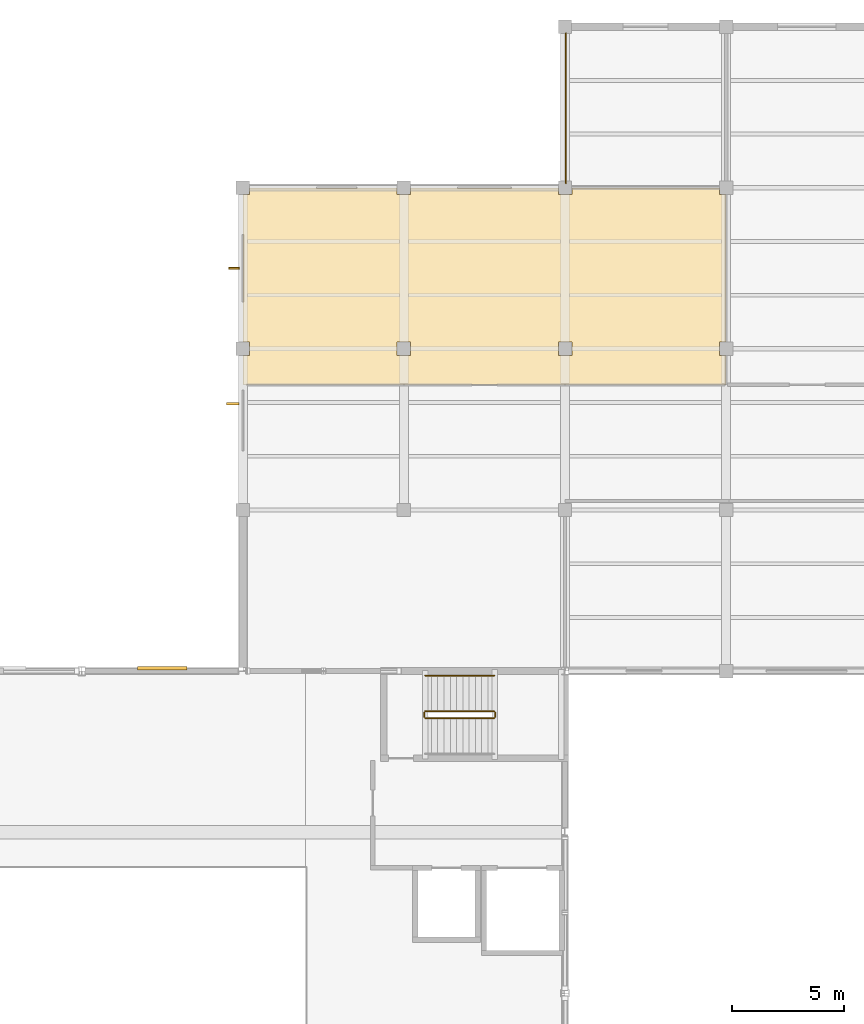
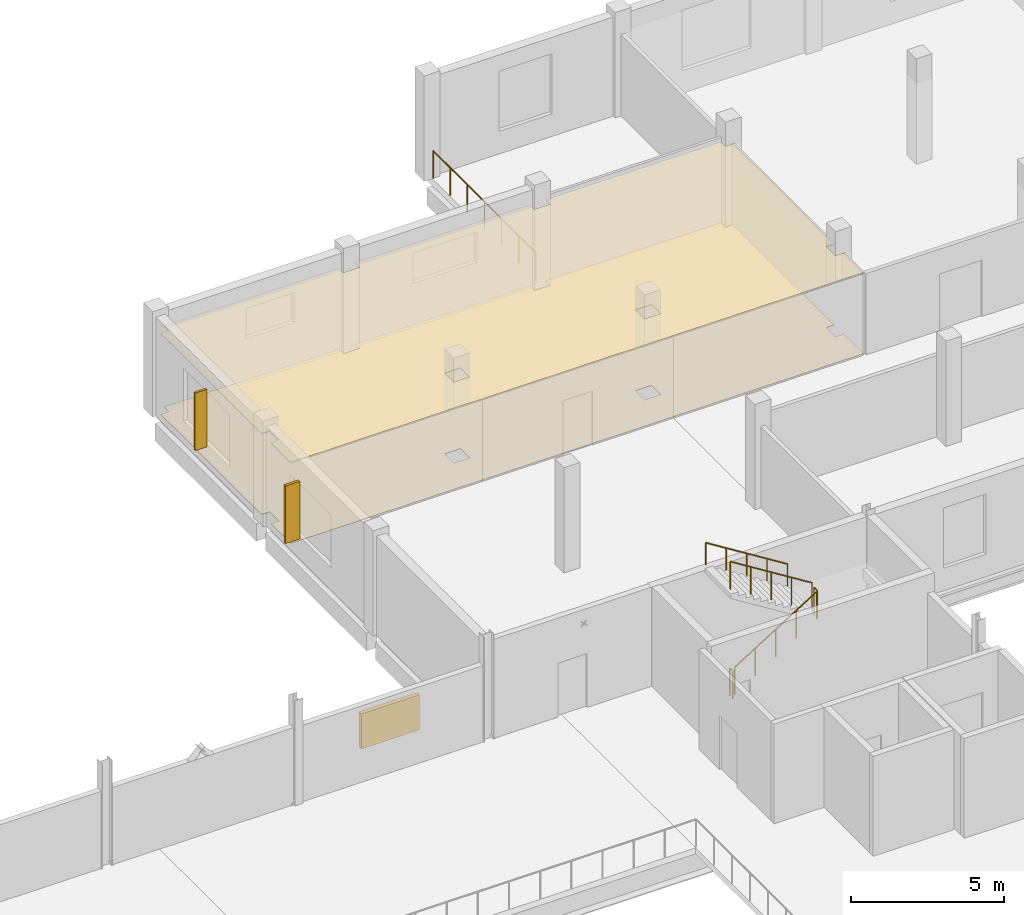
# One storey, part 47 of 48: 6 railings, 3 shading devices, 2 coverings.
"""IFC4 building model written with IfcOpenShell, lengths in metres."""

from ifc_helpers import new_model, si_unit, direction, frame, origin, origin_2d, place, context, subcontext, project, spatial, polyline, rectangle, circle, outline, extrude, material, layer, layer_set, type_object, element, save


model = new_model("IFC4")

# Units and contexts
model_context = context("Model", 3, precision=1e-05, world=origin(), true_north=direction((0.0, 1.0)))
body_context = subcontext(model_context, "Body", "Model", "MODEL_VIEW")
ifc_project = project(units=[si_unit("LENGTHUNIT", "METRE"), si_unit("AREAUNIT", "SQUARE_METRE"), si_unit("VOLUMEUNIT", "CUBIC_METRE"), si_unit("PLANEANGLEUNIT", "RADIAN"), si_unit("MASSUNIT", "GRAM", prefix="KILO"), si_unit("THERMODYNAMICTEMPERATUREUNIT", "KELVIN"), si_unit("POWERUNIT", "WATT")], contexts=[model_context])

# Site, building, storey
site_placement = place(None, origin())
site = spatial("IfcSite", under=ifc_project, at=site_placement, CompositionType="ELEMENT")
building_placement = place(site_placement, origin())
building = spatial("IfcBuilding", under=site, at=building_placement, Name="Kaldorven Railside Theatre", CompositionType="ELEMENT")
storey_placement = place(building_placement, frame((0.0, 0.0, 18.89990234375)))
storey = spatial("IfcBuildingStorey", under=building, at=storey_placement, Name="L04", CompositionType="ELEMENT", Elevation=18.89990234375)

# Coverings
ifc_material_1 = material(Name="Acoustic gypsum board")
ifc_layer_1 = layer(ifc_material_1, 0.0400390625, Name="Acoustic gypsum board")
ifc_layer_set_1 = layer_set([ifc_layer_1], Name="Acoustic gypsum board")
covering_type_1 = type_object("IfcCoveringType", Name="COV-CLG-01", PredefinedType="CEILING", material=ifc_layer_set_1)
covering_1_placement = place(storey_placement, frame((0.0, 0.0, 3.210205078125)))
element("IfcCovering", 1, at=covering_1_placement, inside=storey, type_object=covering_type_1, Name="Technical Library Acoustic Ceiling 023", PredefinedType="CEILING", context=body_context, shape_type="SweptSolid", body=[
    extrude(outline(polyline([(130.39990234375, 125.60009765625), (108.800048828125, 125.60009765625), (108.800048828125, 126.89794921875), (109.10205078125, 126.89794921875), (109.10205078125, 127.501953125), (108.800048828125, 127.501953125), (108.800048828125, 134.097900390625), (109.10205078125, 134.097900390625), (109.10205078125, 134.39990234375), (115.697998046875, 134.39990234375), (115.697998046875, 134.097900390625), (116.302001953125, 134.097900390625), (116.302001953125, 134.39990234375), (122.89794921875, 134.39990234375), (122.89794921875, 134.097900390625), (123.501953125, 134.097900390625), (123.501953125, 134.39990234375), (130.097900390625, 134.39990234375), (130.097900390625, 134.097900390625), (130.39990234375, 134.097900390625), (130.39990234375, 127.501953125), (130.097900390625, 127.501953125), (130.097900390625, 126.89794921875), (130.39990234375, 126.89794921875), (130.39990234375, 125.60009765625)]), holes=[polyline([(115.697998046875, 126.89794921875), (116.302001953125, 126.89794921875), (116.302001953125, 127.501953125), (115.697998046875, 127.501953125), (115.697998046875, 126.89794921875)]), polyline([(122.89794921875, 126.89794921875), (123.501953125, 126.89794921875), (123.501953125, 127.501953125), (122.89794921875, 127.501953125), (122.89794921875, 126.89794921875)])]), origin(), (0.0, 0.0, 1.0), 0.039794921875),
])
ifc_material_2 = material(Name="Terrazzo stone finish", Category="masonry")
ifc_layer_2 = layer(ifc_material_2, 0.02001953125, Name="Terrazzo stone finish")
ifc_layer_set_2 = layer_set([ifc_layer_2], Name="Terrazzo stone finish")
covering_type_2 = type_object("IfcCoveringType", Name="COV-FLR-02", PredefinedType="FLOORING", material=ifc_layer_set_2)
covering_2_placement = place(storey_placement, origin())
element("IfcCovering", 2, at=covering_2_placement, inside=storey, type_object=covering_type_2, Name="Technical Library Finish Flooring FLR-010", PredefinedType="FLOORING", context=body_context, shape_type="SweptSolid", body=[
    extrude(outline(polyline([(130.39990234375, 125.60009765625), (108.800048828125, 125.60009765625), (108.800048828125, 126.89794921875), (109.10205078125, 126.89794921875), (109.10205078125, 127.501953125), (108.800048828125, 127.501953125), (108.800048828125, 134.097900390625), (109.10205078125, 134.097900390625), (109.10205078125, 134.39990234375), (115.697998046875, 134.39990234375), (115.697998046875, 134.097900390625), (116.302001953125, 134.097900390625), (116.302001953125, 134.39990234375), (122.89794921875, 134.39990234375), (122.89794921875, 134.097900390625), (123.501953125, 134.097900390625), (123.501953125, 134.39990234375), (130.097900390625, 134.39990234375), (130.097900390625, 134.097900390625), (130.39990234375, 134.097900390625), (130.39990234375, 127.501953125), (130.097900390625, 127.501953125), (130.097900390625, 126.89794921875), (130.39990234375, 126.89794921875), (130.39990234375, 125.60009765625)]), holes=[polyline([(115.697998046875, 126.89794921875), (116.302001953125, 126.89794921875), (116.302001953125, 127.501953125), (115.697998046875, 127.501953125), (115.697998046875, 126.89794921875)]), polyline([(122.89794921875, 126.89794921875), (123.501953125, 126.89794921875), (123.501953125, 127.501953125), (122.89794921875, 127.501953125), (122.89794921875, 126.89794921875)])]), origin(), (0.0, 0.0, 1.0), 0.02001953125),
])

# Railings
ifc_material_3 = material(Name="Anodised bronze aluminium", Category="aluminium")
railing_type_1 = type_object("IfcRailingType", Name="RLG-BAL-1100", PredefinedType="BALUSTRADE", material=ifc_material_3)
railing_1_placement = place(storey_placement, frame((123.239990234375, 134.60009765625, 0.0)))
element("IfcRailing", 3, at=railing_1_placement, inside=storey, type_object=railing_type_1, Name="L04 Safety Balustrade GR-127", PredefinedType="BALUSTRADE", context=body_context, shape_type="SweptSolid", body=[
    extrude(circle(Radius=0.02392578125, at=origin_2d()), frame((0.0, 0.0, 1.09619140625), z_axis=(0.0, 1.0, 0.0), x_axis=(-1.0, 0.0, 0.0)), (0.0, 0.0, 1.0), 6.703125),
    extrude(circle(Radius=0.02099609375, at=origin_2d()), origin(), (0.0, 0.0, 1.0), 1.072021484375),
    extrude(circle(Radius=0.02099609375, at=origin_2d()), frame((0.0, 1.1171875, 0.0)), (0.0, 0.0, 1.0), 1.072021484375),
    extrude(circle(Radius=0.02099609375, at=origin_2d()), frame((0.0, 2.234375, 0.0)), (0.0, 0.0, 1.0), 1.072021484375),
    extrude(circle(Radius=0.02099609375, at=origin_2d()), frame((0.0, 3.3515625, 0.0)), (0.0, 0.0, 1.0), 1.072021484375),
    extrude(circle(Radius=0.02099609375, at=origin_2d()), frame((0.0, 4.46875, 0.0)), (0.0, 0.0, 1.0), 1.072021484375),
    extrude(circle(Radius=0.02099609375, at=origin_2d()), frame((0.0, 5.5859375, 0.0)), (0.0, 0.0, 1.0), 1.072021484375),
    extrude(circle(Radius=0.02099609375, at=origin_2d()), frame((0.0, 6.703125, 0.0)), (0.0, 0.0, 1.0), 1.072021484375),
])
ifc_material_4 = material(Name="Steel S355", Category="steel")
railing_type_2 = type_object("IfcRailingType", Name="RLG-STG-1100", PredefinedType="BALUSTRADE", material=ifc_material_4)
railing_2_placement = place(storey_placement, frame((116.949951171875, 110.699951171875, 0.175048828125)))
element("IfcRailing", 4, at=railing_2_placement, inside=storey, type_object=railing_type_2, Name="L04 ST-06 stair guard 1", PredefinedType="BALUSTRADE", context=body_context, shape_type="SweptSolid", body=[
    extrude(circle(Radius=0.02392578125, at=origin_2d()), frame((0.0, 0.0, 1.09619140625), z_axis=(0.847998304005, 0.0, 0.529998940003), x_axis=(0.0, 1.0, 0.0)), (0.0, 0.0, 1.0), 3.632080078125),
    extrude(circle(Radius=0.02099609375, at=origin_2d()), origin(), (0.0, 0.0, 1.0), 1.072021484375),
    extrude(circle(Radius=0.02099609375, at=origin_2d()), frame((0.77001953125, 0.0, 0.481201171875)), (0.0, 0.0, 1.0), 1.072021484375),
    extrude(circle(Radius=0.02099609375, at=origin_2d()), frame((1.5400390625, 0.0, 0.96240234375)), (0.0, 0.0, 1.0), 1.072021484375),
    extrude(circle(Radius=0.02099609375, at=origin_2d()), frame((2.31005859375, 0.0, 1.44384765625)), (0.0, 0.0, 1.0), 1.072021484375),
    extrude(circle(Radius=0.02099609375, at=origin_2d()), frame((3.080078125, 0.0, 1.925048828125)), (0.0, 0.0, 1.0), 1.072021484375),
])
railing_3_placement = place(storey_placement, frame((120.080078125, 110.75, 2.10009765625)))
element("IfcRailing", 5, at=railing_3_placement, inside=storey, type_object=railing_type_2, Name="L04 ST-06 stair guard 2", PredefinedType="BALUSTRADE", context=body_context, shape_type="SweptSolid", body=[
    extrude(circle(Radius=0.02392578125, at=origin_2d()), frame((0.0, 0.0, 1.09619140625), z_axis=(0.0, 1.0, 0.0), x_axis=(-1.0, 0.0, 0.0)), (0.0, 0.0, 1.0), 0.199951171875),
    extrude(circle(Radius=0.02099609375, at=origin_2d()), origin(), (0.0, 0.0, 1.0), 1.072021484375),
    extrude(circle(Radius=0.02099609375, at=origin_2d()), frame((0.0, 0.199951171875, 0.0)), (0.0, 0.0, 1.0), 1.072021484375),
])
railing_4_placement = place(storey_placement, frame((120.030029296875, 111.0, 2.275146484375)))
element("IfcRailing", 6, at=railing_4_placement, inside=storey, type_object=railing_type_2, Name="L04 ST-06 stair guard 3", PredefinedType="BALUSTRADE", context=body_context, shape_type="SweptSolid", body=[
    extrude(circle(Radius=0.02392578125, at=origin_2d()), frame((0.0, 0.0, 1.09619140625), z_axis=(-0.847998304005, 0.0, 0.529998940003), x_axis=(0.0, -1.0, 0.0)), (0.0, 0.0, 1.0), 3.632080078125),
    extrude(circle(Radius=0.02099609375, at=origin_2d()), origin(), (0.0, 0.0, 1.0), 1.072021484375),
    extrude(circle(Radius=0.02099609375, at=origin_2d()), frame((-0.77001953125, 0.0, 0.481201171875)), (0.0, 0.0, 1.0), 1.072021484375),
    extrude(circle(Radius=0.02099609375, at=origin_2d()), frame((-1.5400390625, 0.0, 0.96240234375)), (0.0, 0.0, 1.0), 1.072021484375),
    extrude(circle(Radius=0.02099609375, at=origin_2d()), frame((-2.31005859375, 0.0, 1.44384765625)), (0.0, 0.0, 1.0), 1.072021484375),
    extrude(circle(Radius=0.02099609375, at=origin_2d()), frame((-3.080078125, 0.0, 1.925048828125)), (0.0, 0.0, 1.0), 1.072021484375),
])
railing_5_placement = place(storey_placement, frame((116.89990234375, 110.75, 0.0)))
element("IfcRailing", 7, at=railing_5_placement, inside=storey, type_object=railing_type_2, Name="L04 ST-06 stair guard 4", PredefinedType="BALUSTRADE", context=body_context, shape_type="SweptSolid", body=[
    extrude(circle(Radius=0.02392578125, at=origin_2d()), frame((0.0, 0.0, 1.09619140625), z_axis=(0.0, 1.0, 0.0), x_axis=(-1.0, 0.0, 0.0)), (0.0, 0.0, 1.0), 0.199951171875),
    extrude(circle(Radius=0.02099609375, at=origin_2d()), origin(), (0.0, 0.0, 1.0), 1.072021484375),
    extrude(circle(Radius=0.02099609375, at=origin_2d()), frame((0.0, 0.199951171875, 0.0)), (0.0, 0.0, 1.0), 1.072021484375),
])
railing_type_3 = type_object("IfcRailingType", Name="RLG-STH-900", PredefinedType="HANDRAIL", material=ifc_material_4)
railing_6_placement = place(storey_placement, frame((120.030029296875, 112.60009765625, 2.275146484375)))
element("IfcRailing", 8, at=railing_6_placement, inside=storey, type_object=railing_type_3, Name="L04 ST-06 stair handrail 2", PredefinedType="HANDRAIL", context=body_context, shape_type="SweptSolid", body=[
    extrude(circle(Radius=0.02392578125, at=origin_2d()), frame((0.0, 0.0, 0.8759765625), z_axis=(-0.847998304005, 0.0, 0.529998940003), x_axis=(0.0, -1.0, 0.0)), (0.0, 0.0, 1.0), 3.632080078125),
    extrude(circle(Radius=0.02099609375, at=origin_2d()), origin(), (0.0, 0.0, 1.0), 0.851806640625),
    extrude(circle(Radius=0.02099609375, at=origin_2d()), frame((-0.77001953125, 0.0, 0.481201171875)), (0.0, 0.0, 1.0), 0.851806640625),
    extrude(circle(Radius=0.02099609375, at=origin_2d()), frame((-1.5400390625, 0.0, 0.96240234375)), (0.0, 0.0, 1.0), 0.851806640625),
    extrude(circle(Radius=0.02099609375, at=origin_2d()), frame((-2.31005859375, 0.0, 1.44384765625)), (0.0, 0.0, 1.0), 0.851806640625),
    extrude(circle(Radius=0.02099609375, at=origin_2d()), frame((-3.080078125, 0.0, 1.925048828125)), (0.0, 0.0, 1.0), 0.851806640625),
])

# Shading devices
shading_device_type_1 = type_object("IfcShadingDeviceType", Name="SHD-FIN-01", PredefinedType="USERDEFINED", material=ifc_material_3)
shading_device_1_placement = place(storey_placement, frame((108.404052734375, 130.800048828125, 0.80029296875), z_axis=(0.0, 0.0, 1.0), x_axis=(0.0, 1.0, 0.0)))
element("IfcShadingDevice", 9, at=shading_device_1_placement, inside=storey, type_object=shading_device_type_1, Name="Anodised-Bronze Brise-Soleil Fin FIN-037", ObjectType="SUNSHADE", PredefinedType="USERDEFINED", context=body_context, shape_type="SweptSolid", body=[
    extrude(rectangle(XDim=0.080078125, YDim=0.449951171875, at=origin_2d()), origin(), (0.0, 0.0, 1.0), 2.300048828125),
])
shading_device_type_2 = type_object("IfcShadingDeviceType", Name="SHD-FIN-02", PredefinedType="USERDEFINED", material=ifc_material_3)
shading_device_2_placement = place(storey_placement, frame((108.35400390625, 124.75, 0.80029296875), z_axis=(0.0, 0.0, 1.0), x_axis=(0.0, 1.0, 0.0)))
element("IfcShadingDevice", 10, at=shading_device_2_placement, inside=storey, type_object=shading_device_type_2, Name="Anodised-Bronze Brise-Soleil Fin FIN-036", ObjectType="SUNSHADE", PredefinedType="USERDEFINED", context=body_context, shape_type="SweptSolid", body=[
    extrude(rectangle(XDim=0.10009765625, YDim=0.550048828125, at=origin_2d()), origin(), (0.0, 0.0, 1.0), 2.300048828125),
])
shading_device_type_3 = type_object("IfcShadingDeviceType", Name="SHD-LVR-01", PredefinedType="JALOUSIE", material=ifc_material_3)
shading_device_3_placement = place(storey_placement, frame((105.199951171875, 112.919921875, 1.2001953125), z_axis=(0.0, 0.0, 1.0), x_axis=(1.0, 0.0, 0.0)))
element("IfcShadingDevice", 11, at=shading_device_3_placement, inside=storey, type_object=shading_device_type_3, Name="Acoustic Weather Louvre Bank LVR-01", PredefinedType="JALOUSIE", context=body_context, shape_type="SweptSolid", body=[
    extrude(rectangle(XDim=2.199951171875, YDim=0.159912109375, at=origin_2d()), origin(), (0.0, 0.0, 1.0), 1.39990234375),
])

save(model, "model.ifc")
